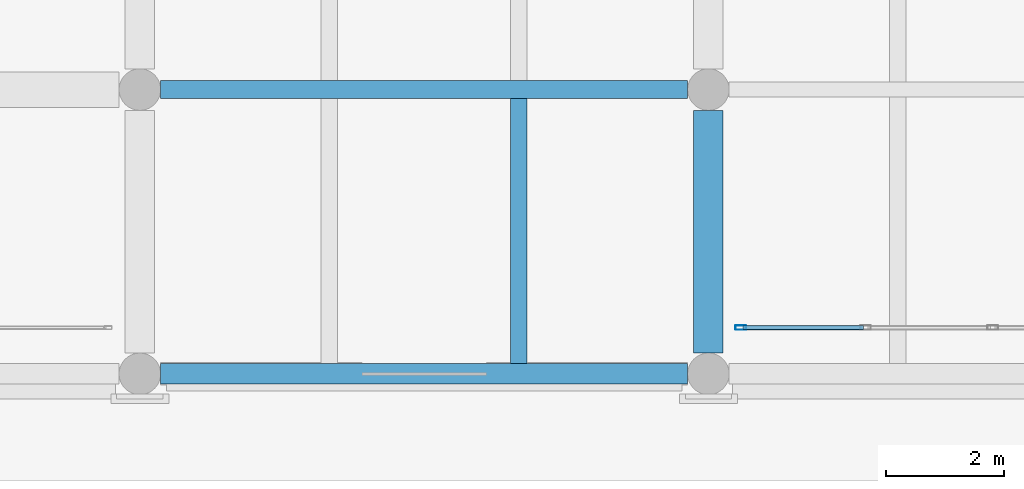
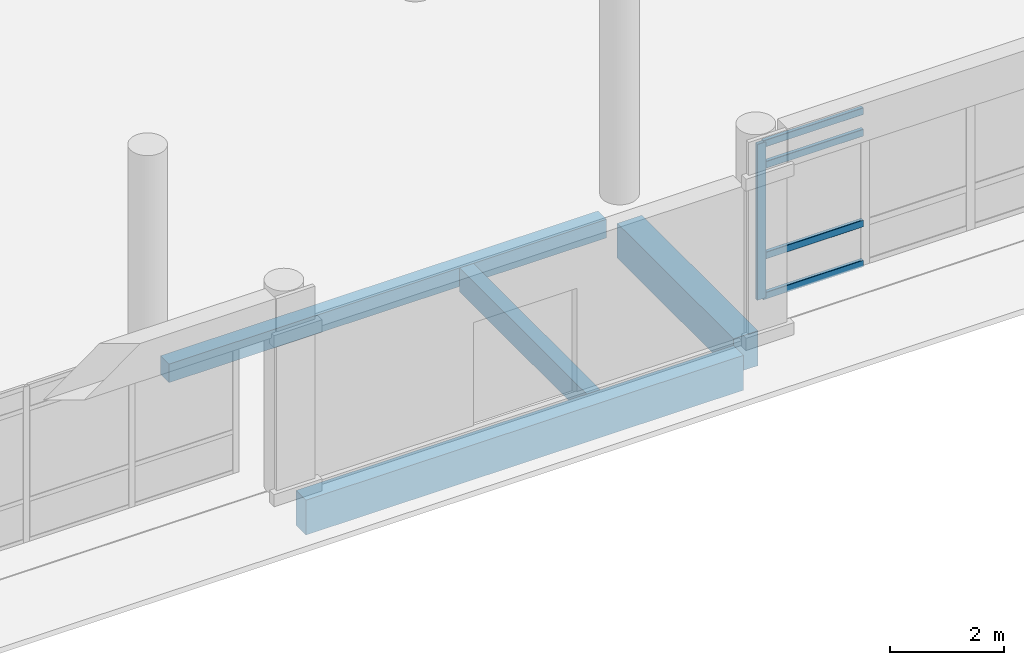
# One storey, part 26 of 196: 5 members, 4 beams, 1 element without a shape of its own.
"""IFC4 building model written with IfcOpenShell, lengths in metres."""

from ifc_helpers import new_model, si_unit, direction, frame, origin, origin_2d, place, context, subcontext, project, spatial, rectangle, hollow_rectangle, extrude, material, layer, layer_set, material_profile, profile_set, type_object, element, aggregate, save


model = new_model("IFC4")

# Units and contexts
model_context = context("Model", 3, precision=1e-05, world=origin(), true_north=direction((0.0, 1.0)))
body_context = subcontext(model_context, "Body", "Model", "MODEL_VIEW")
ifc_project = project(units=[si_unit("LENGTHUNIT", "METRE"), si_unit("AREAUNIT", "SQUARE_METRE"), si_unit("VOLUMEUNIT", "CUBIC_METRE"), si_unit("PLANEANGLEUNIT", "RADIAN"), si_unit("MASSUNIT", "GRAM", prefix="KILO")], contexts=[model_context])

# Site, building, storey
site_placement = place(None, origin())
site = spatial("IfcSite", under=ifc_project, at=site_placement, CompositionType="ELEMENT")
building_placement = place(site_placement, origin())
building = spatial("IfcBuilding", under=site, at=building_placement, Name="Asteropetra Specialist Clinic", CompositionType="ELEMENT")
storey_placement = place(building_placement, origin())
storey = spatial("IfcBuildingStorey", under=building, at=storey_placement, Name="L00", CompositionType="ELEMENT", Elevation=0.0)

# Beam
ifc_material_1 = material(Name="Concrete C35/45", Category="concrete")
ifc_material_profile_1 = material_profile(ifc_material_1, rectangle(XDim=0.5, YDim=0.75, at=origin_2d()), Name="RCB 500x750")
ifc_profile_set_1 = profile_set([ifc_material_profile_1], Name="Concrete C35/45")
beam_type_1 = type_object("IfcBeamType", Name="BM-RC500x750", PredefinedType="BEAM", material=ifc_profile_set_1)
beam_1_placement = place(storey_placement, frame((28.800048828125, 0.35009765625, -0.715087890625), z_axis=(0.0, 1.0, 0.0), x_axis=(-1.0, 0.0, 0.0)))
element("IfcBeam", 1, at=beam_1_placement, inside=storey, type_object=beam_type_1, Name="Beam BBM04-0034", PredefinedType="BEAM", context=body_context, shape_type="SweptSolid", body=[
    extrude(rectangle(XDim=0.5, YDim=0.75, at=origin_2d()), origin(), (0.0, 0.0, 1.0), 4.099853515625),
])

# Curtain wall, members
ifc_material_2 = material(Name="Aluminium and low-E glass", Category="aluminium")
ifc_layer = layer(ifc_material_2, 0.135009765625)
ifc_layer_set = layer_set([ifc_layer], Name="Aluminium and low-E glass")
curtain_wall_type = type_object("IfcCurtainWallType", Name="CW-SYS-09", PredefinedType="USERDEFINED", material=ifc_layer_set)
curtain_wall_placement = place(storey_placement, origin())
curtain_wall = element("IfcCurtainWall", 2, at=curtain_wall_placement, inside=storey, type_object=curtain_wall_type, Name="Curtain Wall CW-123", ObjectType="STICK GLAZED COLONNADE", PredefinedType="USERDEFINED")
ifc_material_3 = material(Name="Aluminium 6063-T6", Category="aluminium")
ifc_material_profile_2 = material_profile(ifc_material_3, hollow_rectangle(XDim=0.074951171875, YDim=0.179931640625, WallThickness=0.00390625, InnerFilletRadius=0.00390625, OuterFilletRadius=0.008056640625, at=origin_2d()), Name="MUL 180x75x4.0")
ifc_profile_set_2 = profile_set([ifc_material_profile_2], Name="Aluminium 6063-T6")
member_type_1 = type_object("IfcMemberType", Name="CWM-180x75", PredefinedType="MULLION", material=ifc_profile_set_2)
member_1_placement = place(storey_placement, frame((29.347412109375, 0.780029296875, 0.0), z_axis=(0.0, 0.0, 1.0), x_axis=(0.0, 1.0, 0.0)))
member_1 = element("IfcMember", 3, at=member_1_placement, type_object=member_type_1, Name="CW-123 mullion 1", PredefinedType="MULLION", context=body_context, shape_type="SweptSolid", body=[
    extrude(hollow_rectangle(XDim=0.074951171875, YDim=0.179931640625, WallThickness=0.00390625, InnerFilletRadius=0.00390625, OuterFilletRadius=0.008056640625, at=origin_2d()), origin(), (0.0, 0.0, 1.0), 3.35009765625),
])
ifc_material_4 = material(Name="Aluminium 6063-T6", Category="aluminium")
ifc_material_profile_3 = material_profile(ifc_material_4, hollow_rectangle(XDim=0.074951171875, YDim=0.14990234375, WallThickness=0.00390625, InnerFilletRadius=0.00390625, OuterFilletRadius=0.008056640625, at=origin_2d()), Name="TRN 150x75x4.0")
ifc_profile_set_3 = profile_set([ifc_material_profile_3], Name="Aluminium 6063-T6")
member_type_2 = type_object("IfcMemberType", Name="CWT-150x75", PredefinedType="USERDEFINED", material=ifc_profile_set_3)
member_2_placement = place(storey_placement, frame((29.385009765625, 0.780029296875, 0.03759765625), z_axis=(1.0, 0.0, 0.0), x_axis=(0.0, 1.0, 0.0)))
member_2 = element("IfcMember", 4, at=member_2_placement, type_object=member_type_2, Name="CW-123 transom 1.1", ObjectType="TRANSOM", PredefinedType="USERDEFINED", context=body_context, shape_type="SweptSolid", body=[
    extrude(hollow_rectangle(XDim=0.074951171875, YDim=0.14990234375, WallThickness=0.00390625, InnerFilletRadius=0.00390625, OuterFilletRadius=0.008056640625, at=origin_2d()), origin(), (0.0, 0.0, 1.0), 2.032470703125),
])
member_3_placement = place(storey_placement, frame((29.385009765625, 0.780029296875, 0.89990234375), z_axis=(1.0, 0.0, 0.0), x_axis=(0.0, 1.0, 0.0)))
member_3 = element("IfcMember", 5, at=member_3_placement, type_object=member_type_2, Name="CW-123 transom 1.2", ObjectType="TRANSOM", PredefinedType="USERDEFINED", context=body_context, shape_type="SweptSolid", body=[
    extrude(hollow_rectangle(XDim=0.074951171875, YDim=0.14990234375, WallThickness=0.00390625, InnerFilletRadius=0.00390625, OuterFilletRadius=0.008056640625, at=origin_2d()), origin(), (0.0, 0.0, 1.0), 2.032470703125),
])
member_4_placement = place(storey_placement, frame((29.385009765625, 0.780029296875, 2.85009765625), z_axis=(1.0, 0.0, 0.0), x_axis=(0.0, 1.0, 0.0)))
member_4 = element("IfcMember", 6, at=member_4_placement, type_object=member_type_2, Name="CW-123 transom 1.3", ObjectType="TRANSOM", PredefinedType="USERDEFINED", context=body_context, shape_type="SweptSolid", body=[
    extrude(hollow_rectangle(XDim=0.074951171875, YDim=0.14990234375, WallThickness=0.00390625, InnerFilletRadius=0.00390625, OuterFilletRadius=0.008056640625, at=origin_2d()), origin(), (0.0, 0.0, 1.0), 2.032470703125),
])
member_5_placement = place(storey_placement, frame((29.385009765625, 0.780029296875, 3.3125), z_axis=(1.0, 0.0, 0.0), x_axis=(0.0, 1.0, 0.0)))
member_5 = element("IfcMember", 7, at=member_5_placement, type_object=member_type_2, Name="CW-123 transom 1.4", ObjectType="TRANSOM", PredefinedType="USERDEFINED", context=body_context, shape_type="SweptSolid", body=[
    extrude(hollow_rectangle(XDim=0.074951171875, YDim=0.14990234375, WallThickness=0.00390625, InnerFilletRadius=0.00390625, OuterFilletRadius=0.008056640625, at=origin_2d()), origin(), (0.0, 0.0, 1.0), 2.032470703125),
])
aggregate(curtain_wall, [member_1, member_2, member_3, member_4, member_5])

# Beams
ifc_material_5 = material(Name="Concrete C35/45", Category="concrete")
ifc_material_profile_4 = material_profile(ifc_material_5, rectangle(XDim=0.280029296875, YDim=0.52001953125, at=origin_2d()), Name="RCJ 280x520")
ifc_profile_set_4 = profile_set([ifc_material_profile_4], Name="Concrete C35/45")
beam_type_2 = type_object("IfcBeamType", Name="JST-RC280x520", PredefinedType="JOIST", material=ifc_profile_set_4)
beam_2_placement = place(storey_placement, frame((25.60009765625, 0.175048828125, -0.60009765625), z_axis=(0.0, 1.0, 0.0), x_axis=(-1.0, 0.0, 0.0)))
element("IfcBeam", 8, at=beam_2_placement, inside=storey, type_object=beam_type_2, Name="Joist JJST01-0043", PredefinedType="JOIST", context=body_context, shape_type="SweptSolid", body=[
    extrude(rectangle(XDim=0.280029296875, YDim=0.52001953125, at=origin_2d()), origin(), (0.0, 0.0, 1.0), 4.474853515625),
])
ifc_material_6 = material(Name="Concrete C35/45", Category="concrete")
ifc_material_profile_5 = material_profile(ifc_material_6, rectangle(XDim=0.300048828125, YDim=0.39990234375, at=origin_2d()), Name="RCL 300x400")
ifc_profile_set_5 = profile_set([ifc_material_profile_5], Name="Concrete C35/45")
beam_type_3 = type_object("IfcBeamType", Name="LNT-RC300x400", PredefinedType="LINTEL", material=ifc_profile_set_5)
beam_3_placement = place(storey_placement, frame((19.550048828125, 4.800048828125, -0.5400390625), z_axis=(1.0, 0.0, 0.0), x_axis=(0.0, 1.0, 0.0)))
element("IfcBeam", 9, at=beam_3_placement, inside=storey, type_object=beam_type_3, Name="Beam BLNT01-0009", PredefinedType="LINTEL", context=body_context, shape_type="SweptSolid", body=[
    extrude(rectangle(XDim=0.300048828125, YDim=0.39990234375, at=origin_2d()), origin(), (0.0, 0.0, 1.0), 8.89990234375),
])
ifc_material_7 = material(Name="Concrete C35/45", Category="concrete")
ifc_material_profile_6 = material_profile(ifc_material_7, rectangle(XDim=0.35009765625, YDim=0.75, at=origin_2d()), Name="RCS 350x750")
ifc_profile_set_6 = profile_set([ifc_material_profile_6], Name="Concrete C35/45")
beam_type_4 = type_object("IfcBeamType", Name="SPN-RC350x750", PredefinedType="SPANDREL", material=ifc_profile_set_6)
beam_4_placement = place(storey_placement, frame((19.550048828125, 0.0, -0.715087890625), z_axis=(1.0, 0.0, 0.0), x_axis=(0.0, 1.0, 0.0)))
element("IfcBeam", 10, at=beam_4_placement, inside=storey, type_object=beam_type_4, Name="Beam BSPN01-0003", PredefinedType="SPANDREL", context=body_context, shape_type="SweptSolid", body=[
    extrude(rectangle(XDim=0.35009765625, YDim=0.75, at=origin_2d()), origin(), (0.0, 0.0, 1.0), 8.89990234375),
])

save(model, "model.ifc")
